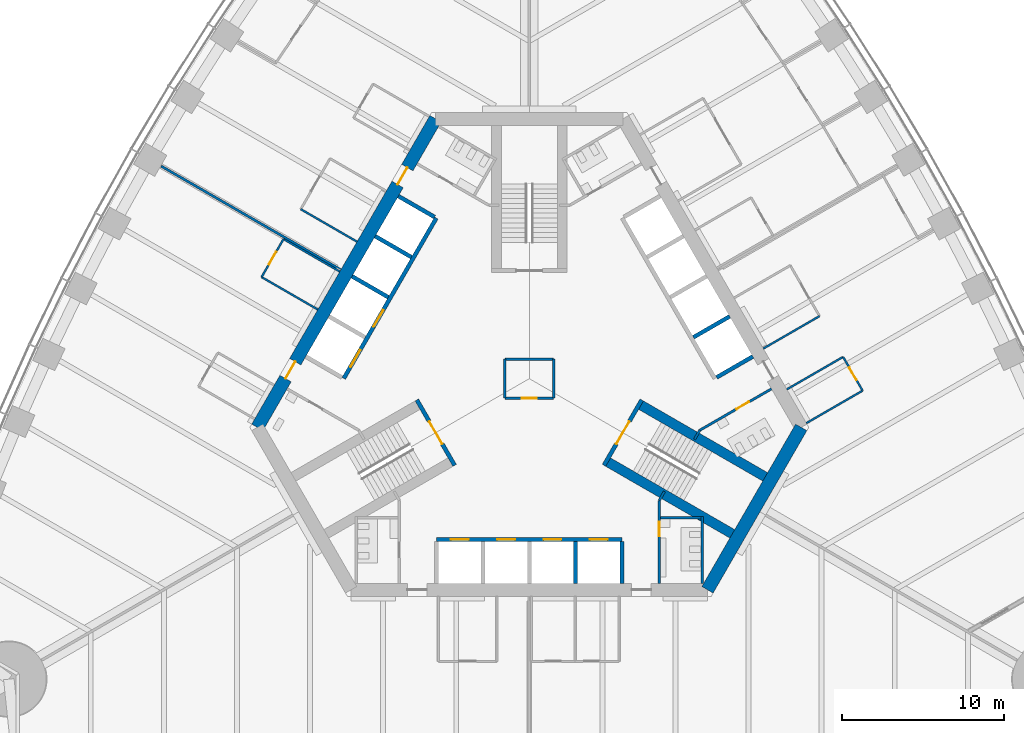
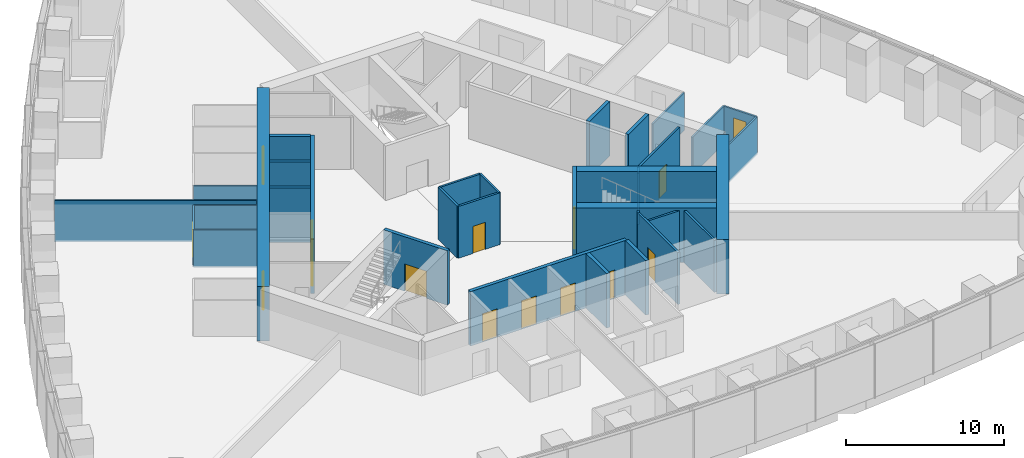
# One storey, part 11 of 18: 34 walls, 15 doors, 15 openings.
"""IFC4 building model written with IfcOpenShell, lengths in metres."""

import ifcopenshell
import ifcopenshell.guid

model = None  # the IFC model being written
_history = None  # IfcOwnerHistory: only IFC2X3 demands one
_inside = {}  # id of a spatial element -> (the spatial element, [elements in it])
_under = {}  # id of a project, library or spatial element -> (it, [spatial elements below it])
_declared = {}  # id of a project -> (the project, [libraries it declares])
_typed = {}  # id of a type object -> (the type object, [elements of that type])
_made_of = {}  # id of a material, layer set ... -> (it, [elements and type objects made of it])


def new_model(schema):
    """Start an empty IFC model of exactly this schema.

    Asked for "IFC4X3", IfcOpenShell would pick the latest addendum, in which some entities
    have other attributes; the version numbers below select the first issue.
    IFC2X3 requires an IfcOwnerHistory on every rooted entity: one is made here for all.
    """
    global model, _history
    if schema == "IFC4X3":
        model = ifcopenshell.file(schema_version=(4, 3, 0, 0))
    else:
        model = ifcopenshell.file(schema=schema)
    _inside.clear()
    _under.clear()
    _declared.clear()
    _typed.clear()
    _made_of.clear()
    _history = None
    if model.schema == "IFC2X3":
        org = make("IfcOrganization", Name="unknown")
        user = make(
            "IfcPersonAndOrganization",
            ThePerson=make("IfcPerson", FamilyName="unknown"),
            TheOrganization=org,
        )
        app = make(
            "IfcApplication",
            ApplicationDeveloper=org,
            Version="unknown",
            ApplicationFullName="unknown",
            ApplicationIdentifier="unknown",
        )
        _history = make(
            "IfcOwnerHistory",
            OwningUser=user,
            OwningApplication=app,
            ChangeAction="ADDED",
            CreationDate=0,
        )
    return model


def make(cls, **values):
    """One entity of the class cls with the attributes given. An attribute that is None is left unset."""
    return model.create_entity(
        cls, **{name: value for name, value in values.items() if value is not None}
    )


def rooted(cls, **values):
    """An entity with a GlobalId (a new one), such as an element, a storey or a relation."""
    return make(cls, GlobalId=ifcopenshell.guid.new(), OwnerHistory=_history, **values)


def si_unit(unit_type, name, prefix=None):
    """IfcSIUnit, for example si_unit("LENGTHUNIT", "METRE", prefix="MILLI")."""
    return make("IfcSIUnit", UnitType=unit_type, Prefix=prefix, Name=name)


def assignment(units):
    """IfcUnitAssignment: the units of a project."""
    return None if units is None else make("IfcUnitAssignment", Units=units)


def point(xyz):
    """IfcCartesianPoint."""
    return None if xyz is None else make("IfcCartesianPoint", Coordinates=xyz)


def direction(xyz):
    """IfcDirection."""
    return None if xyz is None else make("IfcDirection", DirectionRatios=xyz)


def frame(location, z_axis=None, x_axis=None):
    """IfcAxis2Placement3D, a coordinate frame: its origin and axes. An axis left out is left unset."""
    return make(
        "IfcAxis2Placement3D",
        Location=point(location),
        Axis=direction(z_axis),
        RefDirection=direction(x_axis),
    )


def frame_2d(location, x_axis=None):
    """IfcAxis2Placement2D, a coordinate frame in the plane: its origin and x axis."""
    return make(
        "IfcAxis2Placement2D", Location=point(location), RefDirection=direction(x_axis)
    )


def origin():
    """The frame at (0, 0, 0) with its axes left unset."""
    return frame((0.0, 0.0, 0.0))


def place(relative_to, where):
    """IfcLocalPlacement: puts the frame where relative to a parent placement (None: the world)."""
    return make(
        "IfcLocalPlacement", PlacementRelTo=relative_to, RelativePlacement=where
    )


def context(
    kind, dimensions, precision=None, world=None, true_north=None, identifier=None
):
    """IfcGeometricRepresentationContext, for example the 3D "Model" context."""
    return make(
        "IfcGeometricRepresentationContext",
        ContextIdentifier=identifier,
        ContextType=kind,
        CoordinateSpaceDimension=dimensions,
        Precision=precision,
        WorldCoordinateSystem=world,
        TrueNorth=true_north,
    )


def subcontext(parent, identifier, kind, view, scale=None):
    """IfcGeometricRepresentationSubContext, for example "Body" below "Model"."""
    return make(
        "IfcGeometricRepresentationSubContext",
        ContextIdentifier=identifier,
        ContextType=kind,
        ParentContext=parent,
        TargetScale=scale,
        TargetView=view,
    )


def project(units=None, contexts=None):
    """IfcProject with its units and contexts."""
    return rooted(
        "IfcProject",
        Name="project",
        RepresentationContexts=contexts,
        UnitsInContext=assignment(units),
    )


def spatial(cls, under=None, at=None, **own):
    """A site, building, storey or space (cls), placed at a placement, below another one or the project."""
    s = rooted(cls, ObjectPlacement=at, **own)
    if under is not None:
        _under.setdefault(under.id(), (under, []))[1].append(s)
    return s


def profile(cls, at=None, kind="AREA", **sizes):
    """A parametric profile (cls). Its sizes go by their IFC names, for example OverallWidth=200.0."""
    return make(cls, ProfileType=kind, Position=at, **sizes)


def rectangle(**sizes):
    """IfcRectangleProfileDef."""
    return profile("IfcRectangleProfileDef", **sizes)


def extrude(swept, where, along, depth):
    """IfcExtrudedAreaSolid: the profile swept, set in the frame where, extruded along a direction by depth."""
    return make(
        "IfcExtrudedAreaSolid",
        SweptArea=swept,
        Position=where,
        ExtrudedDirection=direction(along),
        Depth=depth,
    )


def shape(context_of_items, identifier, shape_type, items):
    """IfcShapeRepresentation: the items that make up one representation, for example the "Body"."""
    return make(
        "IfcShapeRepresentation",
        ContextOfItems=context_of_items,
        RepresentationIdentifier=identifier,
        RepresentationType=shape_type,
        Items=items,
    )


def material(Name=None, Category=None):
    """IfcMaterial."""
    return make("IfcMaterial", Name=Name, Category=Category)


def layer(
    of_material, thickness, ventilated=None, Name=None, Category=None, Priority=None
):
    """IfcMaterialLayer: one layer of a wall or slab, of a material (None: an air gap)."""
    return make(
        "IfcMaterialLayer",
        Material=of_material,
        LayerThickness=thickness,
        IsVentilated=ventilated,
        Name=Name,
        Category=Category,
        Priority=Priority,
    )


def layer_set(layers, Name=None):
    """IfcMaterialLayerSet."""
    return make("IfcMaterialLayerSet", MaterialLayers=layers, LayerSetName=Name)


def made_of(thing, what):
    """Note that an element or type object is made of a material, layer set ...; save() writes the relation."""
    if what is not None:
        _made_of.setdefault(what.id(), (what, []))[1].append(thing)
    return thing


def type_object(cls, material=None, **own):
    """A type object (cls), such as IfcWallType, which elements share."""
    return made_of(rooted(cls, **own), material)


def element(
    cls,
    number,
    at=None,
    inside=None,
    cuts=None,
    type_object=None,
    material=None,
    context=None,
    identifier="Body",
    shape_type=None,
    held_by="IfcProductDefinitionShape",
    body=None,
    shapes=None,
    **own,
):
    """One element of the class cls, such as IfcWall. Its Tag is "e" and its number.

    at: its placement. inside: the storey or other place that contains it. cuts: it is an
    opening in that element (IfcRelVoidsElement). A single representation is given by context,
    identifier, shape_type and body (its items); several are given by shapes. held_by: the class
    of the entity that holds the representations. save() writes the other relations.
    """
    e = rooted(cls, Tag="e%d" % number, ObjectPlacement=at, **own)
    if body is not None:
        shapes = [shape(context, identifier, shape_type, body)]
    if shapes is not None:
        e.Representation = make(held_by, Representations=shapes)
    if inside is not None:
        _inside.setdefault(inside.id(), (inside, []))[1].append(e)
    if cuts is not None:
        rooted(
            "IfcRelVoidsElement", RelatingBuildingElement=cuts, RelatedOpeningElement=e
        )
    if type_object is not None:
        _typed.setdefault(type_object.id(), (type_object, []))[1].append(e)
    return made_of(e, material)


def fill(opening, filler):
    """IfcRelFillsElement: the door or window that sits in an opening."""
    return rooted(
        "IfcRelFillsElement",
        RelatingOpeningElement=opening,
        RelatedBuildingElement=filler,
    )


def aggregate(whole, parts):
    """IfcRelAggregates: a whole, such as a stair, and the parts it consists of."""
    return rooted("IfcRelAggregates", RelatingObject=whole, RelatedObjects=parts)


def save(model, path):
    """Write the relations noted so far, then the file.

    IfcRelAggregates (storeys below a building ...), IfcRelContainedInSpatialStructure (elements
    in a storey), IfcRelDefinesByType, IfcRelAssociatesMaterial and IfcRelDeclares: one each for
    every whole, place, type object, material and project.
    """
    for whole, parts in _under.values():
        aggregate(whole, parts)
    for where, things in _inside.values():
        rooted(
            "IfcRelContainedInSpatialStructure",
            RelatedElements=things,
            RelatingStructure=where,
        )
    for kind, things in _typed.values():
        rooted("IfcRelDefinesByType", RelatedObjects=things, RelatingType=kind)
    for what, things in _made_of.values():
        rooted("IfcRelAssociatesMaterial", RelatedObjects=things, RelatingMaterial=what)
    for by, libraries in _declared.values():
        rooted("IfcRelDeclares", RelatingContext=by, RelatedDefinitions=libraries)
    model.write(path)


model = new_model("IFC4")

# Units and contexts
model_context = context("Model", 3, precision=1e-05, world=origin(), true_north=direction((0.0, 1.0)))
body_context = subcontext(model_context, "Body", "Model", "MODEL_VIEW")
ifc_project = project(units=[si_unit("LENGTHUNIT", "METRE"), si_unit("AREAUNIT", "SQUARE_METRE"), si_unit("VOLUMEUNIT", "CUBIC_METRE"), si_unit("PLANEANGLEUNIT", "RADIAN"), si_unit("MASSUNIT", "GRAM", prefix="KILO")], contexts=[model_context])

# Site, building, storey
site_placement = place(None, origin())
site = spatial("IfcSite", under=ifc_project, at=site_placement, CompositionType="ELEMENT")
building_placement = place(site_placement, origin())
building = spatial("IfcBuilding", under=site, at=building_placement, Name="Trefoil Bronze Tower", CompositionType="ELEMENT")
storey_placement = place(building_placement, frame((0.0, 0.0, 37.5)))
storey = spatial("IfcBuildingStorey", under=building, at=storey_placement, Name="L08", CompositionType="ELEMENT", Elevation=37.5)

# Wall
ifc_material_1 = material(Name="Concrete B80", Category="concrete")
ifc_layer_1 = layer(ifc_material_1, 0.800048828125)
ifc_layer_set_1 = layer_set([ifc_layer_1], Name="Core wall 800")
wall_type_1 = type_object("IfcWallType", Name="Core wall 800", PredefinedType="SHEAR", material=ifc_layer_set_1)
wall_1_placement = place(storey_placement, frame((10.9697265625, -13.0, 0.0), z_axis=(0.0, 0.0, 1.0), x_axis=(0.499995765644, 0.866027848477, 0.0)))
element("IfcWall", 1, at=wall_1_placement, inside=storey, type_object=wall_type_1, Name="Core short wall 1 L08", PredefinedType="SHEAR", context=body_context, shape_type="SweptSolid", body=[
    extrude(rectangle(XDim=11.546875, YDim=0.800048828125, at=frame_2d((5.7734375, 0.0))), origin(), (0.0, 0.0, 1.0), 4.199951171875),
])

# Wall, openings, doors
wall_2_placement = place(storey_placement, frame((-5.7734375, 16.0, 0.0), z_axis=(0.0, 0.0, 1.0), x_axis=(-0.500002442456, -0.866023993627, 0.0)))
wall_2 = element("IfcWall", 2, at=wall_2_placement, inside=storey, type_object=wall_type_1, Name="Core long wall 3 L08", PredefinedType="SHEAR", context=body_context, shape_type="SweptSolid", body=[
    extrude(rectangle(XDim=21.939453125, YDim=0.800048828125, at=frame_2d((10.9697265625, 0.0))), origin(), (0.0, 0.0, 1.0), 4.199951171875),
])
opening_1_placement = place(wall_2_placement, frame((17.269775390625, 0.0, 0.0)))
opening_1 = element("IfcOpeningElement", 3, at=opening_1_placement, cuts=wall_2, Name="Opening D2", PredefinedType="OPENING", context=body_context, shape_type="SweptSolid", body=[
    extrude(rectangle(XDim=1.199951171875, YDim=2.10009765625, at=frame_2d((0.60009765625, 1.050048828125))), frame((0.0, 0.409912109375, 0.0), z_axis=(0.0, -1.0, 0.0), x_axis=(1.0, 0.0, 0.0)), (0.0, 0.0, 1.0), 0.820068359375),
])
opening_2_placement = place(wall_2_placement, frame((3.4697265625, 0.0, 0.0)))
opening_2 = element("IfcOpeningElement", 4, at=opening_2_placement, cuts=wall_2, Name="Opening D2", PredefinedType="OPENING", context=body_context, shape_type="SweptSolid", body=[
    extrude(rectangle(XDim=1.199951171875, YDim=2.10009765625, at=frame_2d((0.60009765625, 1.050048828125))), frame((0.0, 0.409912109375, 0.0), z_axis=(0.0, -1.0, 0.0), x_axis=(1.0, 0.0, 0.0)), (0.0, 0.0, 1.0), 0.820068359375),
])
ifc_material_2 = material(Name="Steel door", Category="steel")
door_type_1 = type_object("IfcDoorType", Name="Lobby door 1200", OperationType="SINGLE_SWING_RIGHT", PredefinedType="DOOR", material=ifc_material_2)
door_1_placement = place(opening_1_placement, origin())
door_1 = element("IfcDoor", 5, at=door_1_placement, inside=storey, type_object=door_type_1, Name="Lobby door F3+ L08", OperationType="SINGLE_SWING_RIGHT", OverallHeight=2.10009765625, OverallWidth=1.199951171875, PredefinedType="DOOR", context=body_context, shape_type="SweptSolid", body=[
    extrude(rectangle(XDim=1.199951171875, YDim=2.10009765625, at=frame_2d((0.60009765625, 1.050048828125))), frame((0.0, 0.02490234375, 0.0), z_axis=(0.0, -1.0, 0.0), x_axis=(1.0, 0.0, 0.0)), (0.0, 0.0, 1.0), 0.050048828125),
])
fill(opening_1, door_1)
door_2_placement = place(opening_2_placement, origin())
door_2 = element("IfcDoor", 6, at=door_2_placement, inside=storey, type_object=door_type_1, Name="Lobby door F3- L08", OperationType="SINGLE_SWING_LEFT", OverallHeight=2.10009765625, OverallWidth=1.199951171875, PredefinedType="DOOR", context=body_context, shape_type="SweptSolid", body=[
    extrude(rectangle(XDim=1.199951171875, YDim=2.10009765625, at=frame_2d((0.60009765625, 1.050048828125))), frame((0.0, 0.02490234375, 0.0), z_axis=(0.0, -1.0, 0.0), x_axis=(1.0, 0.0, 0.0)), (0.0, 0.0, 1.0), 0.050048828125),
])
fill(opening_2, door_2)

# Wall, opening, door
ifc_material_3 = material(Name="Glazed partition", Category="glass")
ifc_layer_2 = layer(ifc_material_3, 0.1201171875)
ifc_layer_set_2 = layer_set([ifc_layer_2], Name="Glazed partition 120")
wall_type_2 = type_object("IfcWallType", Name="Glazed partition 120", PredefinedType="PARTITIONING", material=ifc_layer_set_2)
wall_3_placement = place(storey_placement, frame((20.518798828125, -0.73974609375, 0.0), z_axis=(0.0, 0.0, 1.0), x_axis=(-0.499957262057, 0.866050077142, 0.0)))
wall_3 = element("IfcWall", 7, at=wall_3_placement, inside=storey, type_object=wall_type_2, Name="Partition F2 L08", PredefinedType="PARTITIONING", context=body_context, shape_type="SweptSolid", body=[
    extrude(rectangle(XDim=2.400146484375, YDim=0.1201171875, at=frame_2d((1.2001953125, 0.0))), origin(), (0.0, 0.0, 1.0), 2.89990234375),
])
opening_3_placement = place(wall_3_placement, frame((0.75, 0.0, 0.14990234375)))
opening_3 = element("IfcOpeningElement", 8, at=opening_3_placement, cuts=wall_3, Name="Opening D8", PredefinedType="OPENING", context=body_context, shape_type="SweptSolid", body=[
    extrude(rectangle(XDim=0.89990234375, YDim=2.10009765625, at=frame_2d((0.449951171875, 1.050048828125))), frame((0.0, 0.070068359375, 0.0), z_axis=(0.0, -1.0, 0.0), x_axis=(1.0, 0.0, 0.0)), (0.0, 0.0, 1.0), 0.14013671875),
])
ifc_material_4 = material(Name="Timber door", Category="wood")
door_type_2 = type_object("IfcDoorType", Name="Office door 900", OperationType="SINGLE_SWING_LEFT", PredefinedType="DOOR", material=ifc_material_4)
door_3_placement = place(opening_3_placement, origin())
door_3 = element("IfcDoor", 9, at=door_3_placement, inside=storey, type_object=door_type_2, Name="Print and store room door F2 L08", OperationType="SINGLE_SWING_RIGHT", OverallHeight=2.10009765625, OverallWidth=0.89990234375, PredefinedType="DOOR", context=body_context, shape_type="SweptSolid", body=[
    extrude(rectangle(XDim=0.89990234375, YDim=2.10009765625, at=frame_2d((0.449951171875, 1.050048828125))), frame((0.0, 0.02490234375, 0.0), z_axis=(0.0, -1.0, 0.0), x_axis=(1.0, 0.0, 0.0)), (0.0, 0.0, 1.0), 0.050048828125),
])
fill(opening_3, door_3)

# Walls
for number, where, z_axis, x_axis, name in (
    (10, (17.0546875, -2.73974609375, 0.0), (0.0, 0.0, 1.0), (0.866026010844, 0.49999894854, 0.0), "Partition F2 L08"),
    (11, (14.40478515625, 1.850341796875, 0.0), (0.0, 0.0, 1.0), (0.866026010844, 0.49999894854, 0.0), "Partition F2 L08"),
    (12, (15.854736328125, -0.6611328125, 0.0), (0.0, 0.0, 1.0), (0.866026010844, 0.49999894854, 0.0), "Partition F2 L08"),
):
    element("IfcWall", number, at=place(storey_placement, frame(where, z_axis=z_axis, x_axis=x_axis)), inside=storey, type_object=wall_type_2, Name=name, PredefinedType="PARTITIONING", context=body_context, shape_type="SweptSolid", body=[
        extrude(rectangle(XDim=4.0, YDim=0.1201171875, at=frame_2d((2.0, 0.0))), origin(), (0.0, 0.0, 1.0), 2.89990234375),
    ])

# Wall, opening, door
wall_4_placement = place(storey_placement, frame((-15.13134765625, 8.591796875, 0.0), z_axis=(0.0, 0.0, 1.0), x_axis=(-0.50000943426, -0.866019956843, 0.0)))
wall_4 = element("IfcWall", 13, at=wall_4_placement, inside=storey, type_object=wall_type_2, Name="Partition F3 L08", PredefinedType="PARTITIONING", context=body_context, shape_type="SweptSolid", body=[
    extrude(rectangle(XDim=2.7001953125, YDim=0.1201171875, at=frame_2d((1.35009765625, 0.0))), origin(), (0.0, 0.0, 1.0), 2.89990234375),
])
opening_4_placement = place(wall_4_placement, frame((0.89990234375, 0.0, 0.14990234375)))
opening_4 = element("IfcOpeningElement", 14, at=opening_4_placement, cuts=wall_4, Name="Opening D8", PredefinedType="OPENING", context=body_context, shape_type="SweptSolid", body=[
    extrude(rectangle(XDim=0.89990234375, YDim=2.10009765625, at=frame_2d((0.449951171875, 1.050048828125))), frame((0.0, 0.070068359375, 0.0), z_axis=(0.0, -1.0, 0.0), x_axis=(1.0, 0.0, 0.0)), (0.0, 0.0, 1.0), 0.14013671875),
])
door_4_placement = place(opening_4_placement, origin())
door_4 = element("IfcDoor", 15, at=door_4_placement, inside=storey, type_object=door_type_2, Name="Pantry door F3 L08", OperationType="SINGLE_SWING_LEFT", OverallHeight=2.10009765625, OverallWidth=0.89990234375, PredefinedType="DOOR", context=body_context, shape_type="SweptSolid", body=[
    extrude(rectangle(XDim=0.89990234375, YDim=2.10009765625, at=frame_2d((0.449951171875, 1.050048828125))), frame((0.0, 0.02490234375, 0.0), z_axis=(0.0, -1.0, 0.0), x_axis=(1.0, 0.0, 0.0)), (0.0, 0.0, 1.0), 0.050048828125),
])
fill(opening_4, door_4)

# Walls
for number, where, z_axis, x_axis, name in (
    (16, (-11.667236328125, 6.591796875, 0.0), (0.0, 0.0, 1.0), (-0.866026010844, 0.49999894854, 0.0), "Partition F3 L08"),
    (17, (-13.017333984375, 4.25341796875, 0.0), (0.0, 0.0, 1.0), (-0.866026010844, 0.49999894854, 0.0), "Partition F3 L08"),
    (18, (-10.604736328125, 8.43212890625, 0.0), (0.0, 0.0, 1.0), (-0.866026010844, 0.49999894854, 0.0), "Partition F3 L08"),
):
    element("IfcWall", number, at=place(storey_placement, frame(where, z_axis=z_axis, x_axis=x_axis)), inside=storey, type_object=wall_type_2, Name=name, PredefinedType="PARTITIONING", context=body_context, shape_type="SweptSolid", body=[
        extrude(rectangle(XDim=4.0, YDim=0.1201171875, at=frame_2d((2.0, 0.0))), origin(), (0.0, 0.0, 1.0), 2.89990234375),
    ])

# Wall, opening, door
ifc_material_5 = material(Name="Gypsum board on steel studs", Category="steel")
ifc_layer_3 = layer(ifc_material_5, 0.14990234375)
ifc_layer_set_3 = layer_set([ifc_layer_3], Name="Partition 150")
wall_type_3 = type_object("IfcWallType", Name="Partition 150", PredefinedType="PARTITIONING", material=ifc_layer_set_3)
wall_5_placement = place(storey_placement, frame((8.0, -7.5, 0.0), z_axis=(0.0, 0.0, 1.0), x_axis=(0.0, -1.0, 0.0)))
wall_5 = element("IfcWall", 19, at=wall_5_placement, inside=storey, type_object=wall_type_3, Name="Passage wall F1+ L08", PredefinedType="PARTITIONING", context=body_context, shape_type="SweptSolid", body=[
    extrude(rectangle(XDim=5.10009765625, YDim=0.14990234375, at=frame_2d((2.550048828125, 0.0))), origin(), (0.0, 0.0, 1.0), 4.0),
])
opening_5_placement = place(wall_5_placement, frame((1.300048828125, 0.0, 0.0)))
opening_5 = element("IfcOpeningElement", 20, at=opening_5_placement, cuts=wall_5, Name="Opening D3", PredefinedType="OPENING", context=body_context, shape_type="SweptSolid", body=[
    extrude(rectangle(XDim=0.89990234375, YDim=2.10009765625, at=frame_2d((0.449951171875, 1.050048828125))), frame((0.0, 0.0849609375, 0.0), z_axis=(0.0, -1.0, 0.0), x_axis=(1.0, 0.0, 0.0)), (0.0, 0.0, 1.0), 0.169921875),
])
ifc_material_6 = material(Name="Timber door", Category="wood")
door_type_3 = type_object("IfcDoorType", Name="WC door 900", OperationType="SINGLE_SWING_LEFT", PredefinedType="DOOR", material=ifc_material_6)
door_5_placement = place(opening_5_placement, origin())
door_5 = element("IfcDoor", 21, at=door_5_placement, inside=storey, type_object=door_type_3, Name="WC (men) door L08", OperationType="SINGLE_SWING_LEFT", OverallHeight=2.10009765625, OverallWidth=0.89990234375, PredefinedType="DOOR", context=body_context, shape_type="SweptSolid", body=[
    extrude(rectangle(XDim=0.89990234375, YDim=2.10009765625, at=frame_2d((0.449951171875, 1.050048828125))), frame((0.0, 0.02490234375, 0.0), z_axis=(0.0, -1.0, 0.0), x_axis=(1.0, 0.0, 0.0)), (0.0, 0.0, 1.0), 0.050048828125),
])
fill(opening_5, door_5)

wall_6_placement = place(storey_placement, frame((10.4951171875, -3.17822265625, 0.0), z_axis=(0.0, 0.0, 1.0), x_axis=(0.86602216432, 0.500005610874, 0.0)))
wall_6 = element("IfcWall", 22, at=wall_6_placement, inside=storey, type_object=wall_type_3, Name="Passage wall F2- L08", PredefinedType="PARTITIONING", context=body_context, shape_type="SweptSolid", body=[
    extrude(rectangle(XDim=5.10009765625, YDim=0.14990234375, at=frame_2d((2.550048828125, 0.0))), origin(), (0.0, 0.0, 1.0), 4.0),
])
opening_6_placement = place(wall_6_placement, frame((2.60009765625, 0.0, 0.0)))
opening_6 = element("IfcOpeningElement", 23, at=opening_6_placement, cuts=wall_6, Name="Opening D3", PredefinedType="OPENING", context=body_context, shape_type="SweptSolid", body=[
    extrude(rectangle(XDim=0.89990234375, YDim=2.10009765625, at=frame_2d((0.449951171875, 1.050048828125))), frame((0.0, 0.0849609375, 0.0), z_axis=(0.0, -1.0, 0.0), x_axis=(1.0, 0.0, 0.0)), (0.0, 0.0, 1.0), 0.169921875),
])
door_6_placement = place(opening_6_placement, frame((0.89990234375, 0.0, 0.0), z_axis=(0.0, 0.0, 1.0), x_axis=(-1.0, 0.0, 0.0)))
door_6 = element("IfcDoor", 24, at=door_6_placement, inside=storey, type_object=door_type_3, Name="WC (women) door L08", OperationType="SINGLE_SWING_LEFT", OverallHeight=2.10009765625, OverallWidth=0.89990234375, PredefinedType="DOOR", context=body_context, shape_type="SweptSolid", body=[
    extrude(rectangle(XDim=0.89990234375, YDim=2.10009765625, at=frame_2d((0.449951171875, 1.050048828125))), frame((0.0, 0.02490234375, 0.0), z_axis=(0.0, -1.0, 0.0), x_axis=(1.0, 0.0, 0.0)), (0.0, 0.0, 1.0), 0.050048828125),
])
fill(opening_6, door_6)

# Walls
for number, where, z_axis, x_axis, name in (
    (25, (8.0, -7.5, 0.0), (0.0, 0.0, 1.0), (0.499842556608, 0.866116284689, 0.0), "WC wall ST1-1 L08"),
    (26, (10.4951171875, -3.17822265625, 0.0), (0.0, 0.0, 1.0), (-0.499842556608, -0.866116284689, 0.0), "WC wall ST1+1 L08"),
):
    element("IfcWall", number, at=place(storey_placement, frame(where, z_axis=z_axis, x_axis=x_axis)), inside=storey, type_object=wall_type_3, Name=name, PredefinedType="PARTITIONING", context=body_context, shape_type="SweptSolid", body=[
        extrude(rectangle(XDim=0.645263671875, YDim=0.14990234375, at=frame_2d((0.32275390625, 0.0))), origin(), (0.0, 0.0, 1.0), 4.0),
    ])
wall_7_placement = place(storey_placement, frame((10.659912109375, -8.5, 0.0), z_axis=(0.0, 0.0, 1.0), x_axis=(0.0, -1.0, 0.0)))
element("IfcWall", 27, at=wall_7_placement, inside=storey, type_object=wall_type_3, Name="WC partition WC (men) L08", PredefinedType="PARTITIONING", context=body_context, shape_type="SweptSolid", body=[
    extrude(rectangle(XDim=4.10009765625, YDim=0.14990234375, at=frame_2d((2.050048828125, 0.0))), origin(), (0.0, 0.0, 1.0), 4.0),
])
wall_8_placement = place(storey_placement, frame((8.074951171875, -8.574951171875, 0.0), z_axis=(0.0, 0.0, 1.0), x_axis=(1.0, 0.0, 0.0)))
element("IfcWall", 28, at=wall_8_placement, inside=storey, type_object=wall_type_3, Name="WC partition WC (men) L08", PredefinedType="PARTITIONING", context=body_context, shape_type="SweptSolid", body=[
    extrude(rectangle(XDim=2.510009765625, YDim=0.14990234375, at=frame_2d((1.2548828125, 0.0))), origin(), (0.0, 0.0, 1.0), 4.0),
])
ifc_material_7 = material(Name="Gypsum board on steel studs", Category="steel")
ifc_layer_4 = layer(ifc_material_7, 0.14990234375)
ifc_layer_set_4 = layer_set([ifc_layer_4], Name="Party wall 150")
wall_type_4 = type_object("IfcWallType", Name="Party wall 150", PredefinedType="PARTITIONING", material=ifc_layer_set_4)
wall_9_placement = place(storey_placement, frame((-11.61328125, 6.705078125, 0.0), z_axis=(0.0, 0.0, 1.0), x_axis=(-0.86602785495, 0.499995754432, 0.0)))
element("IfcWall", 29, at=wall_9_placement, inside=storey, type_object=wall_type_4, Name="Demising wall F3 L08", PredefinedType="PARTITIONING", context=body_context, shape_type="SweptSolid", body=[
    extrude(rectangle(XDim=12.7587890625, YDim=0.14990234375, at=frame_2d((6.37939453125, 0.0))), origin(), (0.0, 0.0, 1.0), 3.199951171875),
])

# Wall, opening, door
ifc_material_8 = material(Name="Gypsum board on steel studs", Category="steel")
ifc_layer_5 = layer(ifc_material_8, 0.14990234375)
ifc_layer_set_5 = layer_set([ifc_layer_5], Name="Riser wall 150")
wall_type_5 = type_object("IfcWallType", Name="Riser wall 150", PredefinedType="PARTITIONING", material=ifc_layer_set_5)
wall_10_placement = place(storey_placement, frame((-1.5, -1.199951171875, 0.0), z_axis=(0.0, 0.0, 1.0), x_axis=(1.0, 0.0, 0.0)))
wall_10 = element("IfcWall", 30, at=wall_10_placement, inside=storey, type_object=wall_type_5, Name="Riser wall L08", PredefinedType="PARTITIONING", context=body_context, shape_type="SweptSolid", body=[
    extrude(rectangle(XDim=3.0, YDim=0.14990234375, at=frame_2d((1.5, 0.0))), origin(), (0.0, 0.0, 1.0), 4.0),
])
opening_7_placement = place(wall_10_placement, frame((1.050048828125, 0.0, 0.0)))
opening_7 = element("IfcOpeningElement", 31, at=opening_7_placement, cuts=wall_10, Name="Opening D4", PredefinedType="OPENING", context=body_context, shape_type="SweptSolid", body=[
    extrude(rectangle(XDim=0.89990234375, YDim=2.10009765625, at=frame_2d((0.449951171875, 1.050048828125))), frame((0.0, 0.0849609375, 0.0), z_axis=(0.0, -1.0, 0.0), x_axis=(1.0, 0.0, 0.0)), (0.0, 0.0, 1.0), 0.169921875),
])
ifc_material_9 = material(Name="Steel door", Category="steel")
door_type_4 = type_object("IfcDoorType", Name="Riser door 900", OperationType="SINGLE_SWING_LEFT", PredefinedType="DOOR", material=ifc_material_9)
door_7_placement = place(opening_7_placement, frame((0.89990234375, 0.0, 0.0), z_axis=(0.0, 0.0, 1.0), x_axis=(-1.0, 0.0, 0.0)))
door_7 = element("IfcDoor", 32, at=door_7_placement, inside=storey, type_object=door_type_4, Name="Riser door L08", OperationType="SINGLE_SWING_LEFT", OverallHeight=2.10009765625, OverallWidth=0.89990234375, PredefinedType="DOOR", context=body_context, shape_type="SweptSolid", body=[
    extrude(rectangle(XDim=0.89990234375, YDim=2.10009765625, at=frame_2d((0.449951171875, 1.050048828125))), frame((0.0, 0.02490234375, 0.0), z_axis=(0.0, -1.0, 0.0), x_axis=(1.0, 0.0, 0.0)), (0.0, 0.0, 1.0), 0.050048828125),
])
fill(opening_7, door_7)

# Walls
wall_11_placement = place(storey_placement, frame((1.5, -1.199951171875, 0.0), z_axis=(0.0, 0.0, 1.0), x_axis=(0.0, 1.0, 0.0)))
element("IfcWall", 33, at=wall_11_placement, inside=storey, type_object=wall_type_5, Name="Riser wall L08", PredefinedType="PARTITIONING", context=body_context, shape_type="SweptSolid", body=[
    extrude(rectangle(XDim=2.39990234375, YDim=0.14990234375, at=frame_2d((1.199951171875, 0.0))), origin(), (0.0, 0.0, 1.0), 4.0),
])
wall_12_placement = place(storey_placement, frame((1.5, 1.199951171875, 0.0), z_axis=(0.0, 0.0, 1.0), x_axis=(-1.0, 0.0, 0.0)))
element("IfcWall", 34, at=wall_12_placement, inside=storey, type_object=wall_type_5, Name="Riser wall L08", PredefinedType="PARTITIONING", context=body_context, shape_type="SweptSolid", body=[
    extrude(rectangle(XDim=3.0, YDim=0.14990234375, at=frame_2d((1.5, 0.0))), origin(), (0.0, 0.0, 1.0), 4.0),
])
wall_13_placement = place(storey_placement, frame((-1.5, 1.199951171875, 0.0), z_axis=(0.0, 0.0, 1.0), x_axis=(0.0, -1.0, 0.0)))
element("IfcWall", 35, at=wall_13_placement, inside=storey, type_object=wall_type_5, Name="Riser wall L08", PredefinedType="PARTITIONING", context=body_context, shape_type="SweptSolid", body=[
    extrude(rectangle(XDim=2.39990234375, YDim=0.14990234375, at=frame_2d((1.199951171875, 0.0))), origin(), (0.0, 0.0, 1.0), 4.0),
])

# Wall, openings, doors
ifc_material_10 = material(Name="Concrete B80", Category="concrete")
ifc_layer_6 = layer(ifc_material_10, 0.25)
ifc_layer_set_6 = layer_set([ifc_layer_6], Name="Shaft wall 250")
wall_type_6 = type_object("IfcWallType", Name="Shaft wall 250", PredefinedType="SHEAR", material=ifc_layer_set_6)
wall_14_placement = place(storey_placement, frame((-5.699951171875, -9.89990234375, 0.0), z_axis=(0.0, 0.0, 1.0), x_axis=(1.0, 0.0, 0.0)))
wall_14 = element("IfcWall", 36, at=wall_14_placement, inside=storey, type_object=wall_type_6, Name="Lift shaft front wall A L08", PredefinedType="SHEAR", context=body_context, shape_type="SweptSolid", body=[
    extrude(rectangle(XDim=11.39990234375, YDim=0.25, at=frame_2d((5.699951171875, 0.0))), origin(), (0.0, 0.0, 1.0), 4.199951171875),
])
opening_8_placement = place(wall_14_placement, frame((0.875, 0.0, 0.0)))
opening_8 = element("IfcOpeningElement", 37, at=opening_8_placement, cuts=wall_14, Name="Opening LD-P11", PredefinedType="OPENING", context=body_context, shape_type="SweptSolid", body=[
    extrude(rectangle(XDim=1.10009765625, YDim=2.199951171875, at=frame_2d((0.550048828125, 1.10009765625))), frame((0.0, 0.135009765625, 0.0), z_axis=(0.0, -1.0, 0.0), x_axis=(1.0, 0.0, 0.0)), (0.0, 0.0, 1.0), 0.27001953125),
])
opening_9_placement = place(wall_14_placement, frame((3.72509765625, 0.0, 0.0)))
opening_9 = element("IfcOpeningElement", 38, at=opening_9_placement, cuts=wall_14, Name="Opening LD-P12", PredefinedType="OPENING", context=body_context, shape_type="SweptSolid", body=[
    extrude(rectangle(XDim=1.10009765625, YDim=2.199951171875, at=frame_2d((0.550048828125, 1.10009765625))), frame((0.0, 0.135009765625, 0.0), z_axis=(0.0, -1.0, 0.0), x_axis=(1.0, 0.0, 0.0)), (0.0, 0.0, 1.0), 0.27001953125),
])
opening_10_placement = place(wall_14_placement, frame((6.574951171875, 0.0, 0.0)))
opening_10 = element("IfcOpeningElement", 39, at=opening_10_placement, cuts=wall_14, Name="Opening LD-P13", PredefinedType="OPENING", context=body_context, shape_type="SweptSolid", body=[
    extrude(rectangle(XDim=1.10009765625, YDim=2.199951171875, at=frame_2d((0.550048828125, 1.10009765625))), frame((0.0, 0.135009765625, 0.0), z_axis=(0.0, -1.0, 0.0), x_axis=(1.0, 0.0, 0.0)), (0.0, 0.0, 1.0), 0.27001953125),
])
opening_11_placement = place(wall_14_placement, frame((9.425048828125, 0.0, 0.0)))
opening_11 = element("IfcOpeningElement", 40, at=opening_11_placement, cuts=wall_14, Name="Opening LD-P14", PredefinedType="OPENING", context=body_context, shape_type="SweptSolid", body=[
    extrude(rectangle(XDim=1.10009765625, YDim=2.199951171875, at=frame_2d((0.550048828125, 1.10009765625))), frame((0.0, 0.135009765625, 0.0), z_axis=(0.0, -1.0, 0.0), x_axis=(1.0, 0.0, 0.0)), (0.0, 0.0, 1.0), 0.27001953125),
])
ifc_material_11 = material(Name="Steel door", Category="steel")
door_type_5 = type_object("IfcDoorType", Name="Lift landing door 1100", OperationType="DOUBLE_DOOR_SLIDING", PredefinedType="DOOR", material=ifc_material_11)
door_8_placement = place(opening_8_placement, origin())
door_8 = element("IfcDoor", 41, at=door_8_placement, inside=storey, type_object=door_type_5, Name="Lift P11 landing door L08", OperationType="DOUBLE_DOOR_SLIDING", OverallHeight=2.199951171875, OverallWidth=1.10009765625, PredefinedType="DOOR", context=body_context, shape_type="SweptSolid", body=[
    extrude(rectangle(XDim=1.10009765625, YDim=2.199951171875, at=frame_2d((0.550048828125, 1.10009765625))), frame((0.0, 0.02490234375, 0.0), z_axis=(0.0, -1.0, 0.0), x_axis=(1.0, 0.0, 0.0)), (0.0, 0.0, 1.0), 0.050048828125),
])
fill(opening_8, door_8)
door_9_placement = place(opening_9_placement, origin())
door_9 = element("IfcDoor", 42, at=door_9_placement, inside=storey, type_object=door_type_5, Name="Lift P12 landing door L08", OperationType="DOUBLE_DOOR_SLIDING", OverallHeight=2.199951171875, OverallWidth=1.10009765625, PredefinedType="DOOR", context=body_context, shape_type="SweptSolid", body=[
    extrude(rectangle(XDim=1.10009765625, YDim=2.199951171875, at=frame_2d((0.550048828125, 1.10009765625))), frame((0.0, 0.02490234375, 0.0), z_axis=(0.0, -1.0, 0.0), x_axis=(1.0, 0.0, 0.0)), (0.0, 0.0, 1.0), 0.050048828125),
])
fill(opening_9, door_9)
door_10_placement = place(opening_10_placement, origin())
door_10 = element("IfcDoor", 43, at=door_10_placement, inside=storey, type_object=door_type_5, Name="Lift P13 landing door L08", OperationType="DOUBLE_DOOR_SLIDING", OverallHeight=2.199951171875, OverallWidth=1.10009765625, PredefinedType="DOOR", context=body_context, shape_type="SweptSolid", body=[
    extrude(rectangle(XDim=1.10009765625, YDim=2.199951171875, at=frame_2d((0.550048828125, 1.10009765625))), frame((0.0, 0.02490234375, 0.0), z_axis=(0.0, -1.0, 0.0), x_axis=(1.0, 0.0, 0.0)), (0.0, 0.0, 1.0), 0.050048828125),
])
fill(opening_10, door_10)
door_11_placement = place(opening_11_placement, origin())
door_11 = element("IfcDoor", 44, at=door_11_placement, inside=storey, type_object=door_type_5, Name="Lift P14 landing door L08", OperationType="DOUBLE_DOOR_SLIDING", OverallHeight=2.199951171875, OverallWidth=1.10009765625, PredefinedType="DOOR", context=body_context, shape_type="SweptSolid", body=[
    extrude(rectangle(XDim=1.10009765625, YDim=2.199951171875, at=frame_2d((0.550048828125, 1.10009765625))), frame((0.0, 0.02490234375, 0.0), z_axis=(0.0, -1.0, 0.0), x_axis=(1.0, 0.0, 0.0)), (0.0, 0.0, 1.0), 0.050048828125),
])
fill(opening_11, door_11)

# Walls
for number, where, z_axis, x_axis, name in (
    (45, (2.85009765625, -10.02490234375, 0.0), (0.0, 0.0, 1.0), (0.0, -1.0, 0.0), "Lift shaft side wall A3 L08"),
    (46, (5.699951171875, -10.02490234375, 0.0), (0.0, 0.0, 1.0), (0.0, -1.0, 0.0), "Lift shaft side wall A4 L08"),
):
    element("IfcWall", number, at=place(storey_placement, frame(where, z_axis=z_axis, x_axis=x_axis)), inside=storey, type_object=wall_type_6, Name=name, PredefinedType="SHEAR", context=body_context, shape_type="SweptSolid", body=[
        extrude(rectangle(XDim=2.5751953125, YDim=0.25, at=frame_2d((1.28759765625, 0.0))), origin(), (0.0, 0.0, 1.0), 4.199951171875),
    ])
for number, where, z_axis, x_axis, name in (
    (47, (11.531982421875, 0.076171875, 0.0), (0.0, 0.0, 1.0), (0.866005588531, 0.500034319456, 0.0), "Lift shaft side wall B0 L08"),
    (48, (10.10693359375, 2.54443359375, 0.0), (0.0, 0.0, 1.0), (0.866046643894, 0.499963209246, 0.0), "Lift shaft side wall B1 L08"),
):
    element("IfcWall", number, at=place(storey_placement, frame(where, z_axis=z_axis, x_axis=x_axis)), inside=storey, type_object=wall_type_6, Name=name, PredefinedType="SHEAR", context=body_context, shape_type="SweptSolid", body=[
        extrude(rectangle(XDim=2.574951171875, YDim=0.25, at=frame_2d((1.28759765625, 0.0))), origin(), (0.0, 0.0, 1.0), 4.199951171875),
    ])

# Wall, openings, doors
wall_15_placement = place(storey_placement, frame((-5.7236328125, 9.88623046875, 0.0), z_axis=(0.0, 0.0, 1.0), x_axis=(-0.500001763848, -0.866024385424, 0.0)))
wall_15 = element("IfcWall", 49, at=wall_15_placement, inside=storey, type_object=wall_type_6, Name="Lift shaft front wall C L08", PredefinedType="SHEAR", context=body_context, shape_type="SweptSolid", body=[
    extrude(rectangle(XDim=11.39990234375, YDim=0.25, at=frame_2d((5.699951171875, 0.0))), origin(), (0.0, 0.0, 1.0), 4.199951171875),
])
opening_12_placement = place(wall_15_placement, frame((6.52490234375, 0.0, 0.0)))
opening_12 = element("IfcOpeningElement", 50, at=opening_12_placement, cuts=wall_15, Name="Opening LD-FL1", PredefinedType="OPENING", context=body_context, shape_type="SweptSolid", body=[
    extrude(rectangle(XDim=1.199951171875, YDim=2.199951171875, at=frame_2d((0.60009765625, 1.10009765625))), frame((0.0, 0.135009765625, 0.0), z_axis=(0.0, -1.0, 0.0), x_axis=(1.0, 0.0, 0.0)), (0.0, 0.0, 1.0), 0.27001953125),
])
opening_13_placement = place(wall_15_placement, frame((9.375, 0.0, 0.0)))
opening_13 = element("IfcOpeningElement", 51, at=opening_13_placement, cuts=wall_15, Name="Opening LD-FL2", PredefinedType="OPENING", context=body_context, shape_type="SweptSolid", body=[
    extrude(rectangle(XDim=1.199951171875, YDim=2.199951171875, at=frame_2d((0.60009765625, 1.10009765625))), frame((0.0, 0.135009765625, 0.0), z_axis=(0.0, -1.0, 0.0), x_axis=(1.0, 0.0, 0.0)), (0.0, 0.0, 1.0), 0.27001953125),
])
ifc_material_12 = material(Name="Steel door", Category="steel")
door_type_6 = type_object("IfcDoorType", Name="Lift landing door 1200", OperationType="DOUBLE_DOOR_SLIDING", PredefinedType="DOOR", material=ifc_material_12)
door_12_placement = place(opening_12_placement, origin())
door_12 = element("IfcDoor", 52, at=door_12_placement, inside=storey, type_object=door_type_6, Name="Lift FL1 landing door L08", OperationType="DOUBLE_DOOR_SLIDING", OverallHeight=2.199951171875, OverallWidth=1.199951171875, PredefinedType="DOOR", context=body_context, shape_type="SweptSolid", body=[
    extrude(rectangle(XDim=1.199951171875, YDim=2.199951171875, at=frame_2d((0.60009765625, 1.10009765625))), frame((0.0, 0.02490234375, 0.0), z_axis=(0.0, -1.0, 0.0), x_axis=(1.0, 0.0, 0.0)), (0.0, 0.0, 1.0), 0.050048828125),
])
fill(opening_12, door_12)
door_13_placement = place(opening_13_placement, origin())
door_13 = element("IfcDoor", 53, at=door_13_placement, inside=storey, type_object=door_type_6, Name="Lift FL2 landing door L08", OperationType="DOUBLE_DOOR_SLIDING", OverallHeight=2.199951171875, OverallWidth=1.199951171875, PredefinedType="DOOR", context=body_context, shape_type="SweptSolid", body=[
    extrude(rectangle(XDim=1.199951171875, YDim=2.199951171875, at=frame_2d((0.60009765625, 1.10009765625))), frame((0.0, 0.02490234375, 0.0), z_axis=(0.0, -1.0, 0.0), x_axis=(1.0, 0.0, 0.0)), (0.0, 0.0, 1.0), 0.050048828125),
])
fill(opening_13, door_13)

# Walls
wall_16_placement = place(storey_placement, frame((-5.831787109375, 9.94873046875, 0.0), z_axis=(0.0, 0.0, 1.0), x_axis=(-0.866029291668, 0.499993265928, 0.0)))
element("IfcWall", 54, at=wall_16_placement, inside=storey, type_object=wall_type_6, Name="Lift shaft side wall C0 L08", PredefinedType="SHEAR", context=body_context, shape_type="SweptSolid", body=[
    extrude(rectangle(XDim=2.5751953125, YDim=0.25, at=frame_2d((1.28759765625, 0.0))), origin(), (0.0, 0.0, 1.0), 4.199951171875),
])
for number, where, z_axis, x_axis, name in (
    (55, (-7.2568359375, 7.480712890625, 0.0), (0.0, 0.0, 1.0), (-0.866046643894, 0.499963209246, 0.0), "Lift shaft side wall C1 L08"),
    (56, (-8.681884765625, 5.012451171875, 0.0), (0.0, 0.0, 1.0), (-0.866005588531, 0.500034319456, 0.0), "Lift shaft side wall C2 L08"),
):
    element("IfcWall", number, at=place(storey_placement, frame(where, z_axis=z_axis, x_axis=x_axis)), inside=storey, type_object=wall_type_6, Name=name, PredefinedType="SHEAR", context=body_context, shape_type="SweptSolid", body=[
        extrude(rectangle(XDim=2.574951171875, YDim=0.25, at=frame_2d((1.28759765625, 0.0))), origin(), (0.0, 0.0, 1.0), 4.199951171875),
    ])

# Wall, opening, door
wall_17_placement = place(storey_placement, frame((4.5966796875, -5.338623046875, 0.0), z_axis=(0.0, 0.0, 1.0), x_axis=(0.499984536904, 0.866034331223, 0.0)))
wall_17 = element("IfcWall", 57, at=wall_17_placement, inside=storey, type_object=wall_type_6, Name="Stair end wall ST1 L08", PredefinedType="SHEAR", context=body_context, shape_type="SweptSolid", body=[
    extrude(rectangle(XDim=4.650146484375, YDim=0.25, at=frame_2d((2.3251953125, 0.0))), origin(), (0.0, 0.0, 1.0), 4.199951171875),
])
opening_14_placement = place(wall_17_placement, frame((1.52490234375, 0.0, 0.0)))
opening_14 = element("IfcOpeningElement", 58, at=opening_14_placement, cuts=wall_17, Name="Opening D1", PredefinedType="OPENING", context=body_context, shape_type="SweptSolid", body=[
    extrude(rectangle(XDim=1.60009765625, YDim=2.10009765625, at=frame_2d((0.800048828125, 1.050048828125))), frame((0.0, 0.135009765625, 0.0), z_axis=(0.0, -1.0, 0.0), x_axis=(1.0, 0.0, 0.0)), (0.0, 0.0, 1.0), 0.27001953125),
])
ifc_material_13 = material(Name="Steel door", Category="steel")
door_type_7 = type_object("IfcDoorType", Name="Stair door 1600", OperationType="DOUBLE_DOOR_SINGLE_SWING", PredefinedType="DOOR", material=ifc_material_13)
door_14_placement = place(opening_14_placement, frame((1.60009765625, 0.0, 0.0), z_axis=(0.0, 0.0, 1.0), x_axis=(-1.0, 0.0, 0.0)))
door_14 = element("IfcDoor", 59, at=door_14_placement, inside=storey, type_object=door_type_7, Name="Stair door ST1 L08", OperationType="DOUBLE_DOOR_SINGLE_SWING", OverallHeight=2.10009765625, OverallWidth=1.60009765625, PredefinedType="DOOR", context=body_context, shape_type="SweptSolid", body=[
    extrude(rectangle(XDim=1.60009765625, YDim=2.10009765625, at=frame_2d((0.800048828125, 1.050048828125))), frame((0.0, 0.02490234375, 0.0), z_axis=(0.0, -1.0, 0.0), x_axis=(1.0, 0.0, 0.0)), (0.0, 0.0, 1.0), 0.050048828125),
])
fill(opening_14, door_14)

wall_18_placement = place(storey_placement, frame((-6.921630859375, -1.3115234375, 0.0), z_axis=(0.0, 0.0, 1.0), x_axis=(0.499984536904, -0.866034331223, 0.0)))
wall_18 = element("IfcWall", 60, at=wall_18_placement, inside=storey, type_object=wall_type_6, Name="Stair end wall ST3 L08", PredefinedType="SHEAR", context=body_context, shape_type="SweptSolid", body=[
    extrude(rectangle(XDim=4.650146484375, YDim=0.25, at=frame_2d((2.3251953125, 0.0))), origin(), (0.0, 0.0, 1.0), 4.199951171875),
])
opening_15_placement = place(wall_18_placement, frame((1.52490234375, 0.0, 0.0)))
opening_15 = element("IfcOpeningElement", 61, at=opening_15_placement, cuts=wall_18, Name="Opening D1", PredefinedType="OPENING", context=body_context, shape_type="SweptSolid", body=[
    extrude(rectangle(XDim=1.60009765625, YDim=2.10009765625, at=frame_2d((0.800048828125, 1.050048828125))), frame((0.0, 0.135009765625, 0.0), z_axis=(0.0, -1.0, 0.0), x_axis=(1.0, 0.0, 0.0)), (0.0, 0.0, 1.0), 0.27001953125),
])
door_15_placement = place(opening_15_placement, frame((1.60009765625, 0.0, 0.0), z_axis=(0.0, 0.0, 1.0), x_axis=(-1.0, 0.0, 0.0)))
door_15 = element("IfcDoor", 62, at=door_15_placement, inside=storey, type_object=door_type_7, Name="Stair door ST3 L08", OperationType="DOUBLE_DOOR_SINGLE_SWING", OverallHeight=2.10009765625, OverallWidth=1.60009765625, PredefinedType="DOOR", context=body_context, shape_type="SweptSolid", body=[
    extrude(rectangle(XDim=1.60009765625, YDim=2.10009765625, at=frame_2d((0.800048828125, 1.050048828125))), frame((0.0, 0.02490234375, 0.0), z_axis=(0.0, -1.0, 0.0), x_axis=(1.0, 0.0, 0.0)), (0.0, 0.0, 1.0), 0.050048828125),
])
fill(opening_15, door_15)

# Walls
ifc_material_14 = material(Name="Concrete B80", Category="concrete")
ifc_layer_7 = layer(ifc_material_14, 0.60009765625)
ifc_layer_set_7 = layer_set([ifc_layer_7], Name="Stair wall 600")
wall_type_7 = type_object("IfcWallType", Name="Stair wall 600", PredefinedType="SHEAR", material=ifc_layer_set_7)
for number, where, z_axis, x_axis, name in (
    (63, (4.638427734375, -5.01611328125, 0.0), (0.0, 0.0, 1.0), (0.866019375473, -0.500010441196, 0.0), "Stair wall ST1 L08"),
    (64, (6.663330078125, -1.5087890625, 0.0), (0.0, 0.0, 1.0), (0.866019375473, -0.500010441196, 0.0), "Stair wall ST1 L08"),
):
    element("IfcWall", number, at=place(storey_placement, frame(where, z_axis=z_axis, x_axis=x_axis)), inside=storey, type_object=wall_type_7, Name=name, PredefinedType="SHEAR", context=body_context, shape_type="SweptSolid", body=[
        extrude(rectangle(XDim=9.074951171875, YDim=0.60009765625, at=frame_2d((4.53759765625, 0.0))), origin(), (0.0, 0.0, 1.0), 4.199951171875),
    ])

save(model, "model.ifc")
